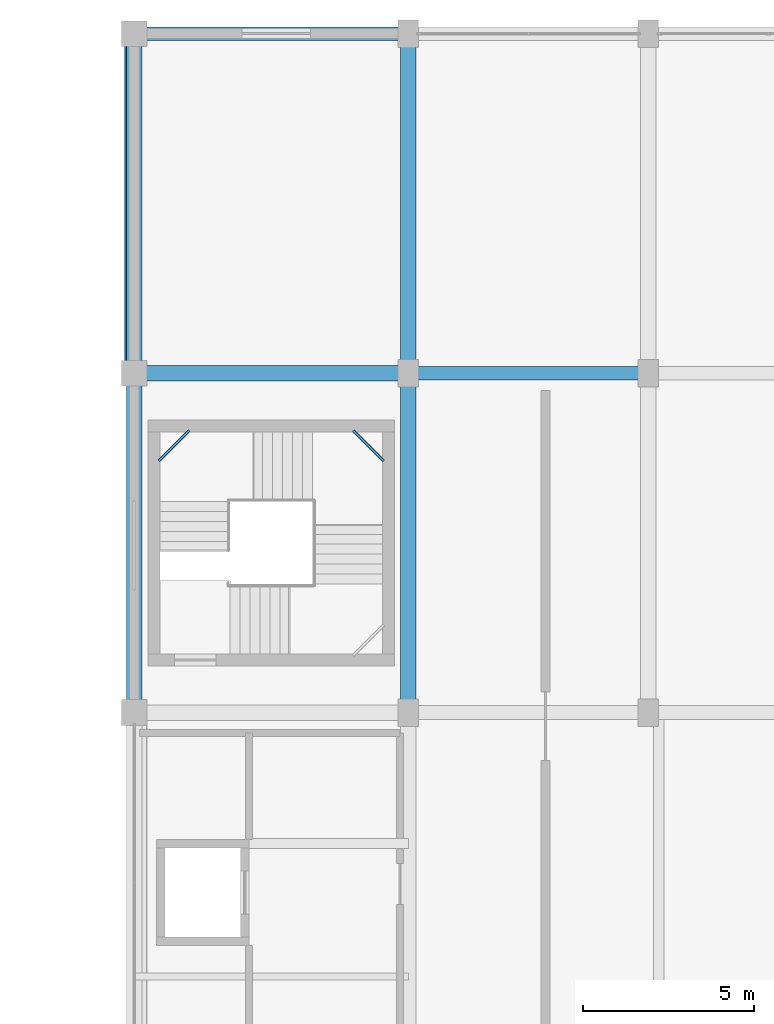
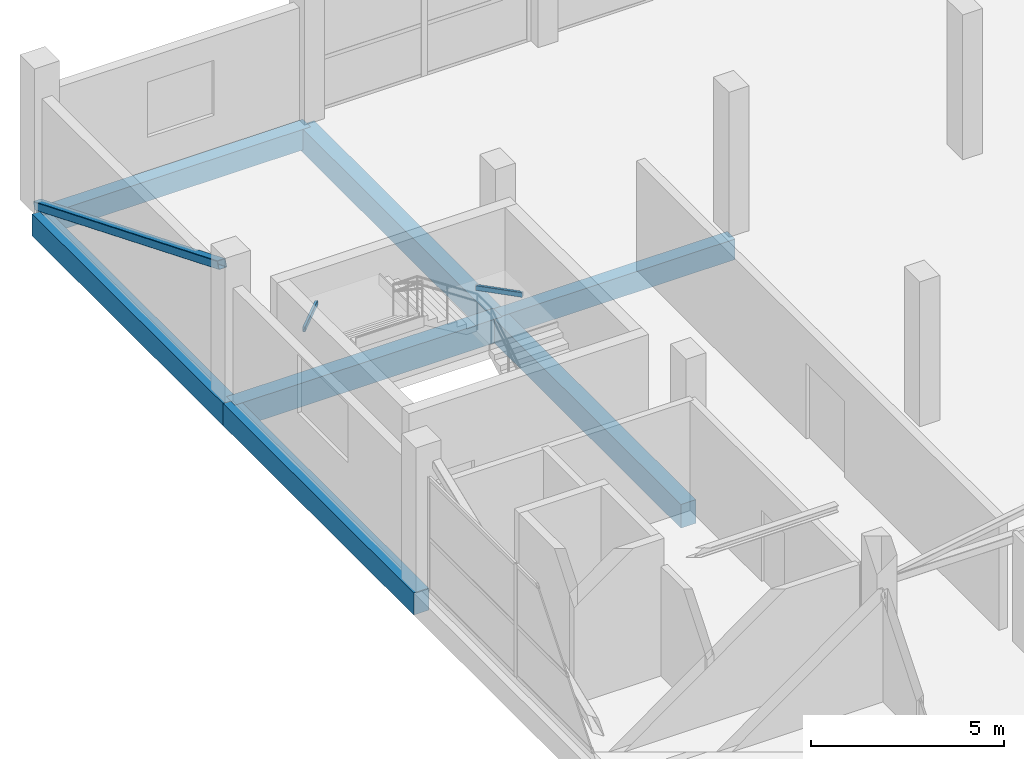
# One storey, part 30 of 58: 9 beams, 1 member.
"""IFC4 building model written with IfcOpenShell, lengths in metres."""

from ifc_helpers import new_model, si_unit, direction, frame, origin, origin_2d, place, context, subcontext, project, spatial, rectangle, hollow_rectangle, extrude, material, material_profile, profile_set, type_object, element, save


model = new_model("IFC4")

# Units and contexts
model_context = context("Model", 3, precision=1e-05, world=origin(), true_north=direction((0.0, 1.0)))
body_context = subcontext(model_context, "Body", "Model", "MODEL_VIEW")
ifc_project = project(units=[si_unit("LENGTHUNIT", "METRE"), si_unit("AREAUNIT", "SQUARE_METRE"), si_unit("VOLUMEUNIT", "CUBIC_METRE"), si_unit("PLANEANGLEUNIT", "RADIAN"), si_unit("MASSUNIT", "GRAM", prefix="KILO")], contexts=[model_context])

# Site, building, storey
site_placement = place(None, origin())
site = spatial("IfcSite", under=ifc_project, at=site_placement, CompositionType="ELEMENT")
building_placement = place(site_placement, origin())
building = spatial("IfcBuilding", under=site, at=building_placement, Name="Sillaruma Civic Art Gallery", CompositionType="ELEMENT")
storey_placement = place(building_placement, frame((0.0, 0.0, 28.56005859375)))
storey = spatial("IfcBuildingStorey", under=building, at=storey_placement, Name="L05", CompositionType="ELEMENT", Elevation=28.56005859375)

# Beams
ifc_material_1 = material(Name="Concrete H35 (35 MPa)", Category="concrete")
ifc_material_profile_1 = material_profile(ifc_material_1, rectangle(XDim=0.39990234375, YDim=0.64990234375, at=origin_2d()), Name="RCB400x650")
ifc_profile_set_1 = profile_set([ifc_material_profile_1], Name="Concrete H35 (35 MPa)")
beam_type_1 = type_object("IfcBeamType", Name="BM-BEAM-RCB400x650", PredefinedType="BEAM", material=ifc_profile_set_1)
beam_1_placement = place(storey_placement, frame((70.0, 89.10009765625, -0.60498046875), z_axis=(1.0, 0.0, 0.0), x_axis=(0.0, 1.0, 0.0)))
element("IfcBeam", 1, at=beam_1_placement, inside=storey, type_object=beam_type_1, Name="Beam BM-05 (L04:10:G-H)", PredefinedType="BEAM", context=body_context, shape_type="SweptSolid", body=[
    extrude(rectangle(XDim=0.39990234375, YDim=0.64990234375, at=origin_2d()), origin(), (0.0, 0.0, 1.0), 7.0),
])
ifc_material_2 = material(Name="Concrete H40 (40 MPa)", Category="concrete")
ifc_material_profile_2 = material_profile(ifc_material_2, rectangle(XDim=0.449951171875, YDim=0.75, at=origin_2d()), Name="RCB450x750")
ifc_profile_set_2 = profile_set([ifc_material_profile_2], Name="Concrete H40 (40 MPa)")
beam_type_2 = type_object("IfcBeamType", Name="BM-BEAM-RCB450x750", PredefinedType="BEAM", material=ifc_profile_set_2)
beam_2_placement = place(storey_placement, frame((62.0, 89.10009765625, -0.655029296875), z_axis=(1.0, 0.0, 0.0), x_axis=(0.0, 1.0, 0.0)))
element("IfcBeam", 2, at=beam_2_placement, inside=storey, type_object=beam_type_2, Name="Beam BM-03 (L04:10:F-G)", PredefinedType="BEAM", context=body_context, shape_type="SweptSolid", body=[
    extrude(rectangle(XDim=0.449951171875, YDim=0.75, at=origin_2d()), origin(), (0.0, 0.0, 1.0), 8.0),
])
beam_3_placement = place(storey_placement, frame((70.0, 79.199951171875, -0.655029296875), z_axis=(0.0, 1.0, 0.0), x_axis=(-1.0, 0.0, 0.0)))
element("IfcBeam", 3, at=beam_3_placement, inside=storey, type_object=beam_type_2, Name="Beam BM-03 (L04:G:9-10)", PredefinedType="BEAM", context=body_context, shape_type="SweptSolid", body=[
    extrude(rectangle(XDim=0.449951171875, YDim=0.75, at=origin_2d()), origin(), (0.0, 0.0, 1.0), 9.900146484375),
])
beam_4_placement = place(storey_placement, frame((70.0, 89.10009765625, -0.655029296875), z_axis=(0.0, 1.0, 0.0), x_axis=(-1.0, 0.0, 0.0)))
element("IfcBeam", 4, at=beam_4_placement, inside=storey, type_object=beam_type_2, Name="Beam BM-03 (L04:G:10-11)", PredefinedType="BEAM", context=body_context, shape_type="SweptSolid", body=[
    extrude(rectangle(XDim=0.449951171875, YDim=0.75, at=origin_2d()), origin(), (0.0, 0.0, 1.0), 9.89990234375),
])
ifc_material_3 = material(Name="Structural Steel ASTM A500 Gr.C", Category="steel")
ifc_material_profile_3 = material_profile(ifc_material_3, hollow_rectangle(XDim=0.080078125, YDim=0.159912109375, WallThickness=0.008056640625, InnerFilletRadius=0.008056640625, OuterFilletRadius=0.01611328125, at=origin_2d()), Name="HSS160x80x8")
ifc_profile_set_3 = profile_set([ifc_material_profile_3], Name="Structural Steel ASTM A500 Gr.C")
beam_type_3 = type_object("IfcBeamType", Name="BM-LND-HSS160", PredefinedType="BEAM", material=ifc_profile_set_3)
for number, where, z_axis, x_axis, name in (
    (5, (68.389892578125, 87.429931640625, 2.099853515625), (0.707203758046, -0.707009791025, 0.0), (0.707009791025, 0.707203758046, 0.0), "Stair Corner Landing Trimmer Beam (ST-02-L05-2)"),
    (6, (62.719970703125, 86.5400390625, 3.2900390625), (0.707203758046, 0.707009791025, 0.0), (-0.707009791025, 0.707203758046, 0.0), "Stair Corner Landing Trimmer Beam (ST-02-L05-3)"),
):
    element("IfcBeam", number, at=place(storey_placement, frame(where, z_axis=z_axis, x_axis=x_axis)), inside=storey, type_object=beam_type_3, Name=name, PredefinedType="BEAM", context=body_context, shape_type="SweptSolid", body=[
        extrude(hollow_rectangle(XDim=0.080078125, YDim=0.159912109375, WallThickness=0.008056640625, InnerFilletRadius=0.008056640625, OuterFilletRadius=0.01611328125, at=origin_2d()), origin(), (0.0, 0.0, 1.0), 1.2587890625),
    ])
ifc_material_profile_4 = material_profile(ifc_material_1, rectangle(XDim=0.39990234375, YDim=0.64990234375, at=origin_2d()), Name="RCB400x650")
ifc_profile_set_4 = profile_set([ifc_material_profile_4], Name="Concrete H35 (35 MPa)")
beam_type_4 = type_object("IfcBeamType", Name="BM-SPANDREL-RCB400x650", PredefinedType="SPANDREL", material=ifc_profile_set_4)
beam_5_placement = place(storey_placement, frame((62.0, 99.0, -0.60498046875), z_axis=(1.0, 0.0, 0.0), x_axis=(0.0, 1.0, 0.0)))
element("IfcBeam", 7, at=beam_5_placement, inside=storey, type_object=beam_type_4, Name="Beam BS-02 (L04:11:F-G)", PredefinedType="SPANDREL", context=body_context, shape_type="SweptSolid", body=[
    extrude(rectangle(XDim=0.39990234375, YDim=0.64990234375, at=origin_2d()), origin(), (0.0, 0.0, 1.0), 8.0),
])
ifc_material_profile_5 = material_profile(ifc_material_1, rectangle(XDim=0.449951171875, YDim=0.699951171875, at=origin_2d()), Name="RCB450x700")
ifc_profile_set_5 = profile_set([ifc_material_profile_5], Name="Concrete H35 (35 MPa)")
beam_type_5 = type_object("IfcBeamType", Name="BM-SPANDREL-RCB450x700", PredefinedType="SPANDREL", material=ifc_profile_set_5)
beam_6_placement = place(storey_placement, frame((62.0, 79.199951171875, -0.630126953125), z_axis=(0.0, 1.0, 0.0), x_axis=(-1.0, 0.0, 0.0)))
element("IfcBeam", 8, at=beam_6_placement, inside=storey, type_object=beam_type_5, Name="Beam BS-03 (L04:F:9-10)", PredefinedType="SPANDREL", context=body_context, shape_type="SweptSolid", body=[
    extrude(rectangle(XDim=0.449951171875, YDim=0.699951171875, at=origin_2d()), origin(), (0.0, 0.0, 1.0), 9.900146484375),
])
beam_7_placement = place(storey_placement, frame((62.0, 89.10009765625, -0.630126953125), z_axis=(0.0, 1.0, 0.0), x_axis=(-1.0, 0.0, 0.0)))
element("IfcBeam", 9, at=beam_7_placement, inside=storey, type_object=beam_type_5, Name="Beam BS-03 (L04:F:10-11)", PredefinedType="SPANDREL", context=body_context, shape_type="SweptSolid", body=[
    extrude(rectangle(XDim=0.449951171875, YDim=0.699951171875, at=origin_2d()), origin(), (0.0, 0.0, 1.0), 9.89990234375),
])

# Member
ifc_material_profile_6 = material_profile(ifc_material_3, hollow_rectangle(XDim=0.25, YDim=0.25, WallThickness=0.012451171875, InnerFilletRadius=0.012451171875, OuterFilletRadius=0.02490234375, at=origin_2d()), Name="HSS250x250x12.5")
ifc_profile_set_6 = profile_set([ifc_material_profile_6], Name="Structural Steel ASTM A500 Gr.C")
member_type = type_object("IfcMemberType", Name="MEM-MEGA-BRACE", PredefinedType="BRACE", material=ifc_profile_set_6)
member_placement = place(storey_placement, frame((61.85009765625, 98.820068359375, 0.099853515625), z_axis=(0.0, -0.925635226768, 0.378417001423), x_axis=(1.0, 0.0, 0.0)))
element("IfcMember", 10, at=member_placement, inside=storey, type_object=member_type, Name="Exterior Expressed Gallery Seismic Diagonal Brace (L05-WN)", PredefinedType="BRACE", context=body_context, shape_type="SweptSolid", body=[
    extrude(hollow_rectangle(XDim=0.25, YDim=0.25, WallThickness=0.012451171875, InnerFilletRadius=0.012451171875, OuterFilletRadius=0.02490234375, at=origin_2d()), origin(), (0.0, 0.0, 1.0), 10.306396484375),
])

save(model, "model.ifc")
